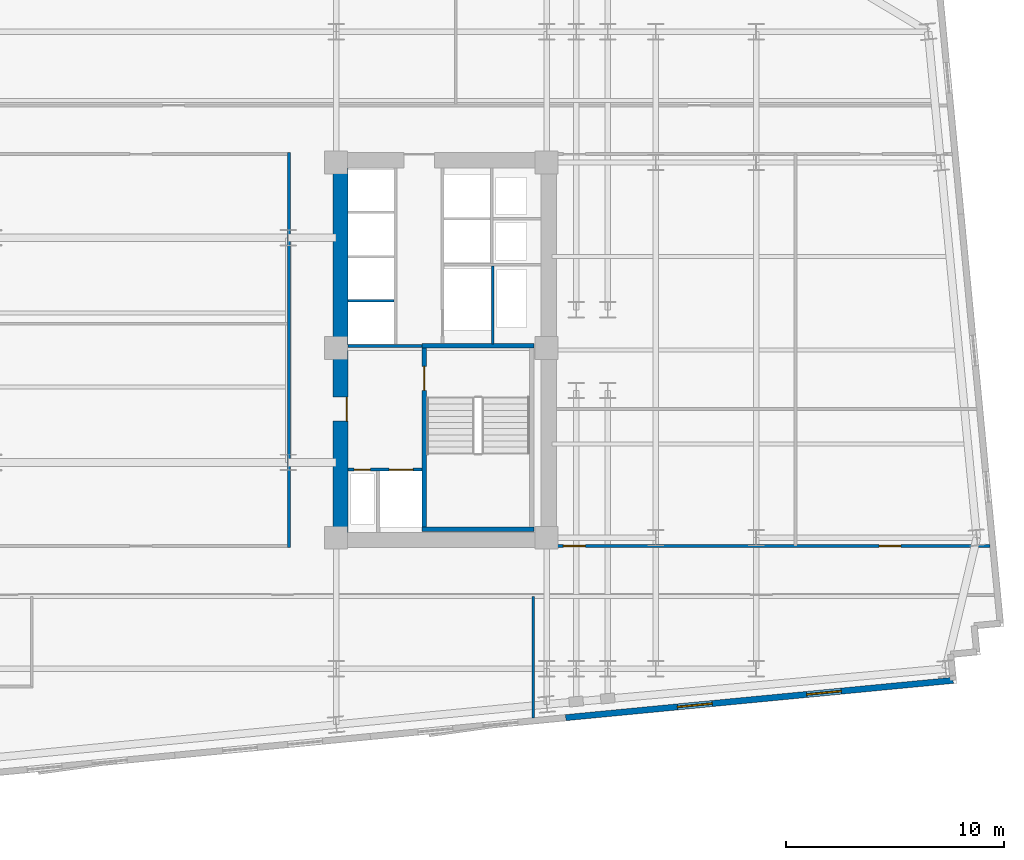
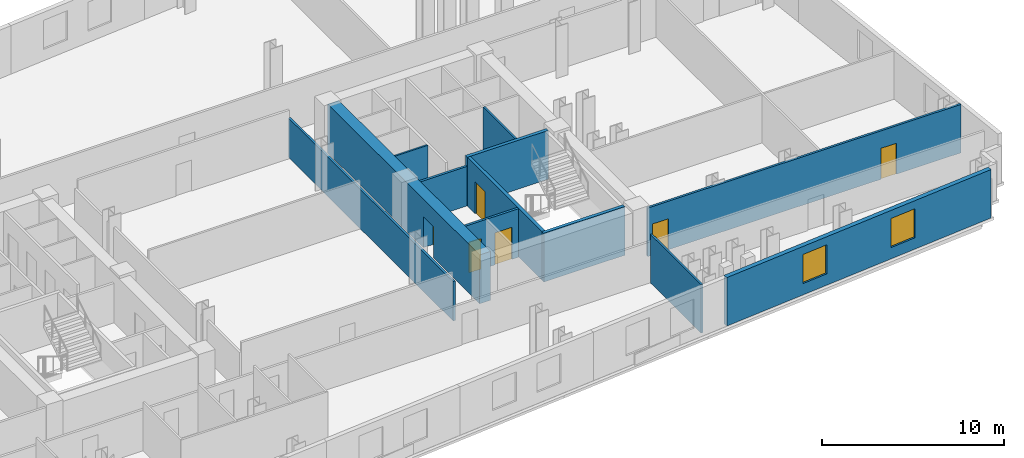
# One storey, part 6 of 10: 12 walls, 6 doors, 2 windows, 8 openings.
"""IFC4 building model written with IfcOpenShell, lengths in metres."""

import ifcopenshell
import ifcopenshell.guid

model = None  # the IFC model being written
_history = None  # IfcOwnerHistory: only IFC2X3 demands one
_inside = {}  # id of a spatial element -> (the spatial element, [elements in it])
_under = {}  # id of a project, library or spatial element -> (it, [spatial elements below it])
_declared = {}  # id of a project -> (the project, [libraries it declares])
_typed = {}  # id of a type object -> (the type object, [elements of that type])
_made_of = {}  # id of a material, layer set ... -> (it, [elements and type objects made of it])


def new_model(schema):
    """Start an empty IFC model of exactly this schema.

    Asked for "IFC4X3", IfcOpenShell would pick the latest addendum, in which some entities
    have other attributes; the version numbers below select the first issue.
    IFC2X3 requires an IfcOwnerHistory on every rooted entity: one is made here for all.
    """
    global model, _history
    if schema == "IFC4X3":
        model = ifcopenshell.file(schema_version=(4, 3, 0, 0))
    else:
        model = ifcopenshell.file(schema=schema)
    _inside.clear()
    _under.clear()
    _declared.clear()
    _typed.clear()
    _made_of.clear()
    _history = None
    if model.schema == "IFC2X3":
        org = make("IfcOrganization", Name="unknown")
        user = make(
            "IfcPersonAndOrganization",
            ThePerson=make("IfcPerson", FamilyName="unknown"),
            TheOrganization=org,
        )
        app = make(
            "IfcApplication",
            ApplicationDeveloper=org,
            Version="unknown",
            ApplicationFullName="unknown",
            ApplicationIdentifier="unknown",
        )
        _history = make(
            "IfcOwnerHistory",
            OwningUser=user,
            OwningApplication=app,
            ChangeAction="ADDED",
            CreationDate=0,
        )
    return model


def make(cls, **values):
    """One entity of the class cls with the attributes given. An attribute that is None is left unset."""
    return model.create_entity(
        cls, **{name: value for name, value in values.items() if value is not None}
    )


def rooted(cls, **values):
    """An entity with a GlobalId (a new one), such as an element, a storey or a relation."""
    return make(cls, GlobalId=ifcopenshell.guid.new(), OwnerHistory=_history, **values)


def si_unit(unit_type, name, prefix=None):
    """IfcSIUnit, for example si_unit("LENGTHUNIT", "METRE", prefix="MILLI")."""
    return make("IfcSIUnit", UnitType=unit_type, Prefix=prefix, Name=name)


def assignment(units):
    """IfcUnitAssignment: the units of a project."""
    return None if units is None else make("IfcUnitAssignment", Units=units)


def point(xyz):
    """IfcCartesianPoint."""
    return None if xyz is None else make("IfcCartesianPoint", Coordinates=xyz)


def direction(xyz):
    """IfcDirection."""
    return None if xyz is None else make("IfcDirection", DirectionRatios=xyz)


def frame(location, z_axis=None, x_axis=None):
    """IfcAxis2Placement3D, a coordinate frame: its origin and axes. An axis left out is left unset."""
    return make(
        "IfcAxis2Placement3D",
        Location=point(location),
        Axis=direction(z_axis),
        RefDirection=direction(x_axis),
    )


def frame_2d(location, x_axis=None):
    """IfcAxis2Placement2D, a coordinate frame in the plane: its origin and x axis."""
    return make(
        "IfcAxis2Placement2D", Location=point(location), RefDirection=direction(x_axis)
    )


def origin():
    """The frame at (0, 0, 0) with its axes left unset."""
    return frame((0.0, 0.0, 0.0))


def place(relative_to, where):
    """IfcLocalPlacement: puts the frame where relative to a parent placement (None: the world)."""
    return make(
        "IfcLocalPlacement", PlacementRelTo=relative_to, RelativePlacement=where
    )


def context(
    kind, dimensions, precision=None, world=None, true_north=None, identifier=None
):
    """IfcGeometricRepresentationContext, for example the 3D "Model" context."""
    return make(
        "IfcGeometricRepresentationContext",
        ContextIdentifier=identifier,
        ContextType=kind,
        CoordinateSpaceDimension=dimensions,
        Precision=precision,
        WorldCoordinateSystem=world,
        TrueNorth=true_north,
    )


def subcontext(parent, identifier, kind, view, scale=None):
    """IfcGeometricRepresentationSubContext, for example "Body" below "Model"."""
    return make(
        "IfcGeometricRepresentationSubContext",
        ContextIdentifier=identifier,
        ContextType=kind,
        ParentContext=parent,
        TargetScale=scale,
        TargetView=view,
    )


def project(units=None, contexts=None):
    """IfcProject with its units and contexts."""
    return rooted(
        "IfcProject",
        Name="project",
        RepresentationContexts=contexts,
        UnitsInContext=assignment(units),
    )


def spatial(cls, under=None, at=None, **own):
    """A site, building, storey or space (cls), placed at a placement, below another one or the project."""
    s = rooted(cls, ObjectPlacement=at, **own)
    if under is not None:
        _under.setdefault(under.id(), (under, []))[1].append(s)
    return s


def profile(cls, at=None, kind="AREA", **sizes):
    """A parametric profile (cls). Its sizes go by their IFC names, for example OverallWidth=200.0."""
    return make(cls, ProfileType=kind, Position=at, **sizes)


def rectangle(**sizes):
    """IfcRectangleProfileDef."""
    return profile("IfcRectangleProfileDef", **sizes)


def extrude(swept, where, along, depth):
    """IfcExtrudedAreaSolid: the profile swept, set in the frame where, extruded along a direction by depth."""
    return make(
        "IfcExtrudedAreaSolid",
        SweptArea=swept,
        Position=where,
        ExtrudedDirection=direction(along),
        Depth=depth,
    )


def shape(context_of_items, identifier, shape_type, items):
    """IfcShapeRepresentation: the items that make up one representation, for example the "Body"."""
    return make(
        "IfcShapeRepresentation",
        ContextOfItems=context_of_items,
        RepresentationIdentifier=identifier,
        RepresentationType=shape_type,
        Items=items,
    )


def material(Name=None, Category=None):
    """IfcMaterial."""
    return make("IfcMaterial", Name=Name, Category=Category)


def layer(
    of_material, thickness, ventilated=None, Name=None, Category=None, Priority=None
):
    """IfcMaterialLayer: one layer of a wall or slab, of a material (None: an air gap)."""
    return make(
        "IfcMaterialLayer",
        Material=of_material,
        LayerThickness=thickness,
        IsVentilated=ventilated,
        Name=Name,
        Category=Category,
        Priority=Priority,
    )


def layer_set(layers, Name=None):
    """IfcMaterialLayerSet."""
    return make("IfcMaterialLayerSet", MaterialLayers=layers, LayerSetName=Name)


def made_of(thing, what):
    """Note that an element or type object is made of a material, layer set ...; save() writes the relation."""
    if what is not None:
        _made_of.setdefault(what.id(), (what, []))[1].append(thing)
    return thing


def type_object(cls, material=None, **own):
    """A type object (cls), such as IfcWallType, which elements share."""
    return made_of(rooted(cls, **own), material)


def element(
    cls,
    number,
    at=None,
    inside=None,
    cuts=None,
    type_object=None,
    material=None,
    context=None,
    identifier="Body",
    shape_type=None,
    held_by="IfcProductDefinitionShape",
    body=None,
    shapes=None,
    **own,
):
    """One element of the class cls, such as IfcWall. Its Tag is "e" and its number.

    at: its placement. inside: the storey or other place that contains it. cuts: it is an
    opening in that element (IfcRelVoidsElement). A single representation is given by context,
    identifier, shape_type and body (its items); several are given by shapes. held_by: the class
    of the entity that holds the representations. save() writes the other relations.
    """
    e = rooted(cls, Tag="e%d" % number, ObjectPlacement=at, **own)
    if body is not None:
        shapes = [shape(context, identifier, shape_type, body)]
    if shapes is not None:
        e.Representation = make(held_by, Representations=shapes)
    if inside is not None:
        _inside.setdefault(inside.id(), (inside, []))[1].append(e)
    if cuts is not None:
        rooted(
            "IfcRelVoidsElement", RelatingBuildingElement=cuts, RelatedOpeningElement=e
        )
    if type_object is not None:
        _typed.setdefault(type_object.id(), (type_object, []))[1].append(e)
    return made_of(e, material)


def fill(opening, filler):
    """IfcRelFillsElement: the door or window that sits in an opening."""
    return rooted(
        "IfcRelFillsElement",
        RelatingOpeningElement=opening,
        RelatedBuildingElement=filler,
    )


def aggregate(whole, parts):
    """IfcRelAggregates: a whole, such as a stair, and the parts it consists of."""
    return rooted("IfcRelAggregates", RelatingObject=whole, RelatedObjects=parts)


def save(model, path):
    """Write the relations noted so far, then the file.

    IfcRelAggregates (storeys below a building ...), IfcRelContainedInSpatialStructure (elements
    in a storey), IfcRelDefinesByType, IfcRelAssociatesMaterial and IfcRelDeclares: one each for
    every whole, place, type object, material and project.
    """
    for whole, parts in _under.values():
        aggregate(whole, parts)
    for where, things in _inside.values():
        rooted(
            "IfcRelContainedInSpatialStructure",
            RelatedElements=things,
            RelatingStructure=where,
        )
    for kind, things in _typed.values():
        rooted("IfcRelDefinesByType", RelatedObjects=things, RelatingType=kind)
    for what, things in _made_of.values():
        rooted("IfcRelAssociatesMaterial", RelatedObjects=things, RelatingMaterial=what)
    for by, libraries in _declared.values():
        rooted("IfcRelDeclares", RelatingContext=by, RelatedDefinitions=libraries)
    model.write(path)


model = new_model("IFC4")

# Units and contexts
model_context = context("Model", 3, precision=1e-05, world=origin(), true_north=direction((0.0, 1.0)))
body_context = subcontext(model_context, "Body", "Model", "MODEL_VIEW")
ifc_project = project(units=[si_unit("LENGTHUNIT", "METRE"), si_unit("AREAUNIT", "SQUARE_METRE"), si_unit("VOLUMEUNIT", "CUBIC_METRE"), si_unit("PLANEANGLEUNIT", "RADIAN"), si_unit("MASSUNIT", "GRAM", prefix="KILO")], contexts=[model_context])

# Site, building, storey
site_placement = place(None, origin())
site = spatial("IfcSite", under=ifc_project, at=site_placement, CompositionType="ELEMENT")
building_placement = place(site_placement, origin())
building = spatial("IfcBuilding", under=site, at=building_placement, Name="Velakula Bourse", CompositionType="ELEMENT")
storey_placement = place(building_placement, frame((0.0, 0.0, 81.10009765625)))
storey = spatial("IfcBuildingStorey", under=building, at=storey_placement, Name="L21", CompositionType="ELEMENT", Elevation=81.10009765625)

# Wall, opening, door
ifc_material_1 = material(Name="Concrete M50 (fck 50 MPa)", Category="concrete")
ifc_layer_1 = layer(ifc_material_1, 0.2099609375, Name="Concrete M50 (fck 50 MPa)", Category="concrete")
ifc_layer_set_1 = layer_set([ifc_layer_1], Name="Concrete M50 (fck 50 MPa)")
wall_type_1 = type_object("IfcWallType", Name="WL-CORE-210", PredefinedType="SHEAR", material=ifc_layer_set_1)
wall_1_placement = place(storey_placement, frame((12.9951171875, -8.10009765625, 0.0), z_axis=(0.0, 0.0, 1.0), x_axis=(0.0, 1.0, 0.0)))
wall_1 = element("IfcWall", 1, at=wall_1_placement, inside=storey, type_object=wall_type_1, Name="L21 Core E Stairwell Shear Wall IN", PredefinedType="SHEAR", context=body_context, shape_type="SweptSolid", body=[
    extrude(rectangle(XDim=8.2001953125, YDim=0.2099609375, at=frame_2d((4.10009765625, 0.0))), origin(), (0.0, 0.0, 1.0), 3.27001953125),
])
opening_1_placement = place(wall_1_placement, frame((6.25, 0.0, 0.0)))
opening_1 = element("IfcOpeningElement", 2, at=opening_1_placement, cuts=wall_1, Name="Opening D-STE1", PredefinedType="OPENING", context=body_context, shape_type="SweptSolid", body=[
    extrude(rectangle(XDim=1.10009765625, YDim=2.14990234375, at=frame_2d((0.550048828125, 1.074951171875))), frame((0.0, 0.114990234375, 0.0), z_axis=(0.0, -1.0, 0.0), x_axis=(1.0, 0.0, 0.0)), (0.0, 0.0, 1.0), 0.22998046875),
])
ifc_material_2 = material(Name="Galvanised painted hollow steel fire door", Category="steel")
door_type_1 = type_object("IfcDoorType", Name="DR-FD120-1100x2150", OperationType="NOTDEFINED", PredefinedType="DOOR", material=ifc_material_2)
door_1_placement = place(opening_1_placement, origin())
door_1 = element("IfcDoor", 3, at=door_1_placement, inside=storey, type_object=door_type_1, Name="L21 Stair ST-E1 Fire Door", OperationType="SINGLE_SWING_RIGHT", OverallHeight=2.14990234375, OverallWidth=1.10009765625, PredefinedType="DOOR", context=body_context, shape_type="SweptSolid", body=[
    extrude(rectangle(XDim=1.10009765625, YDim=2.14990234375, at=frame_2d((0.550048828125, 1.074951171875))), frame((0.0, 0.02490234375, 0.0), z_axis=(0.0, -1.0, 0.0), x_axis=(1.0, 0.0, 0.0)), (0.0, 0.0, 1.0), 0.050048828125),
])
fill(opening_1, door_1)

# Walls
for number, where, z_axis, x_axis, name in (
    (4, (12.889892578125, -8.205078125, 0.0), (0.0, 0.0, 1.0), (1.0, 0.0, 0.0), "L21 Core E Stairwell Shear Wall S"),
    (5, (18.030029296875, 0.205078125, 0.0), (0.0, 0.0, 1.0), (-1.0, 0.0, 0.0), "L21 Core E Stairwell Shear Wall N"),
):
    element("IfcWall", number, at=place(storey_placement, frame(where, z_axis=z_axis, x_axis=x_axis)), inside=storey, type_object=wall_type_1, Name=name, PredefinedType="SHEAR", context=body_context, shape_type="SweptSolid", body=[
        extrude(rectangle(XDim=5.14013671875, YDim=0.2099609375, at=frame_2d((2.570068359375, 0.0))), origin(), (0.0, 0.0, 1.0), 3.27001953125),
    ])

# Wall, opening, door
ifc_material_3 = material(Name="Concrete M70 (fck 70 MPa)", Category="concrete")
ifc_layer_2 = layer(ifc_material_3, 0.699951171875, Name="Concrete M70 (fck 70 MPa)", Category="concrete")
ifc_layer_set_2 = layer_set([ifc_layer_2], Name="Concrete M70 (fck 70 MPa)")
wall_type_2 = type_object("IfcWallType", Name="WL-CORE-700", PredefinedType="SHEAR", material=ifc_layer_set_2)
wall_2_placement = place(storey_placement, frame((9.14990234375, -8.35009765625, 0.0), z_axis=(0.0, 0.0, 1.0), x_axis=(0.0, 1.0, 0.0)))
wall_2 = element("IfcWall", 6, at=wall_2_placement, inside=storey, type_object=wall_type_2, Name="L21 Core E Shear Wall W", PredefinedType="SHEAR", context=body_context, shape_type="SweptSolid", body=[
    extrude(rectangle(XDim=16.7001953125, YDim=0.699951171875, at=frame_2d((8.35009765625, 0.0))), origin(), (0.0, 0.0, 1.0), 3.27001953125),
])
opening_2_placement = place(wall_2_placement, frame((5.10009765625, 0.0, 0.0)))
opening_2 = element("IfcOpeningElement", 7, at=opening_2_placement, cuts=wall_2, Name="Opening D-FLE", PredefinedType="OPENING", context=body_context, shape_type="SweptSolid", body=[
    extrude(rectangle(XDim=1.10009765625, YDim=2.080078125, at=frame_2d((0.550048828125, 1.0400390625))), frame((0.0, 0.35986328125, 0.0), z_axis=(0.0, -1.0, 0.0), x_axis=(1.0, 0.0, 0.0)), (0.0, 0.0, 1.0), 0.719970703125),
])
door_type_2 = type_object("IfcDoorType", Name="DR-FD120-1100", OperationType="NOTDEFINED", PredefinedType="DOOR", material=ifc_material_2)
door_2_placement = place(opening_2_placement, origin())
door_2 = element("IfcDoor", 8, at=door_2_placement, inside=storey, type_object=door_type_2, Name="L21 Firefighting Lobby E Corridor Fire Door", OperationType="SINGLE_SWING_RIGHT", OverallHeight=2.080078125, OverallWidth=1.10009765625, PredefinedType="DOOR", context=body_context, shape_type="SweptSolid", body=[
    extrude(rectangle(XDim=1.10009765625, YDim=2.080078125, at=frame_2d((0.550048828125, 1.0400390625))), frame((0.0, -0.2548828125, 0.0), z_axis=(0.0, -1.0, 0.0), x_axis=(1.0, 0.0, 0.0)), (0.0, 0.0, 1.0), 0.050048828125),
])
fill(opening_2, door_2)

# Wall, openings, windows
ifc_material_4 = material(Name="Red kilned clay facing brick masonry", Category="masonry")
ifc_layer_3 = layer(ifc_material_4, 0.280029296875, Name="Red kilned clay facing brick masonry", Category="masonry")
ifc_layer_set_3 = layer_set([ifc_layer_3], Name="Red kilned clay facing brick masonry")
wall_type_3 = type_object("IfcWallType", Name="WL-EXT-BRK-280", PredefinedType="STANDARD", material=ifc_layer_set_3)
wall_3_placement = place(storey_placement, frame((37.2314453125, -15.138427734375, 0.0), z_axis=(0.0, 0.0, 1.0), x_axis=(-0.995395780835, -0.095850088663, 0.0)))
wall_3 = element("IfcWall", 9, at=wall_3_placement, inside=storey, type_object=wall_type_3, Name="L21 S Brick Spandrel Wall B5", PredefinedType="STANDARD", context=body_context, shape_type="SweptSolid", body=[
    extrude(rectangle(XDim=17.83984375, YDim=0.280029296875, at=frame_2d((8.919921875, 0.0))), origin(), (0.0, 0.0, 1.0), 3.25),
])
opening_3_placement = place(wall_3_placement, frame((5.146728515625, 0.0, 0.760009765625)))
opening_3 = element("IfcOpeningElement", 10, at=opening_3_placement, cuts=wall_3, Name="Opening W-02", PredefinedType="OPENING", context=body_context, shape_type="SweptSolid", body=[
    extrude(rectangle(XDim=1.60009765625, YDim=1.949951171875, at=frame_2d((0.800048828125, 0.97509765625))), frame((0.0, 0.14990234375, 0.0), z_axis=(0.0, -1.0, 0.0), x_axis=(1.0, 0.0, 0.0)), (0.0, 0.0, 1.0), 0.300048828125),
])
opening_4_placement = place(wall_3_placement, frame((11.09326171875, 0.0, 0.760009765625)))
opening_4 = element("IfcOpeningElement", 11, at=opening_4_placement, cuts=wall_3, Name="Opening W-02", PredefinedType="OPENING", context=body_context, shape_type="SweptSolid", body=[
    extrude(rectangle(XDim=1.60009765625, YDim=1.949951171875, at=frame_2d((0.800048828125, 0.97509765625))), frame((0.0, 0.14990234375, 0.0), z_axis=(0.0, -1.0, 0.0), x_axis=(1.0, 0.0, 0.0)), (0.0, 0.0, 1.0), 0.300048828125),
])
ifc_material_5 = material(Name="Double-glazed solar-control Low-E glass", Category="glass")
window_type = type_object("IfcWindowType", Name="WIN-TWR-1600x2100", PartitioningType="SINGLE_PANEL", PredefinedType="WINDOW", material=ifc_material_5)
window_1_placement = place(opening_3_placement, origin())
window_1 = element("IfcWindow", 12, at=window_1_placement, inside=storey, type_object=window_type, Name="L21 Deep-Set Recessed Window 1", OverallHeight=1.949951171875, OverallWidth=1.60009765625, PartitioningType="SINGLE_PANEL", PredefinedType="WINDOW", context=body_context, shape_type="SweptSolid", body=[
    extrude(rectangle(XDim=1.60009765625, YDim=1.949951171875, at=frame_2d((0.800048828125, 0.97509765625))), frame((0.0, 0.030029296875, 0.0), z_axis=(0.0, -1.0, 0.0), x_axis=(1.0, 0.0, 0.0)), (0.0, 0.0, 1.0), 0.06005859375),
])
fill(opening_3, window_1)
window_2_placement = place(opening_4_placement, origin())
window_2 = element("IfcWindow", 13, at=window_2_placement, inside=storey, type_object=window_type, Name="L21 Deep-Set Recessed Window 2", OverallHeight=1.949951171875, OverallWidth=1.60009765625, PartitioningType="SINGLE_PANEL", PredefinedType="WINDOW", context=body_context, shape_type="SweptSolid", body=[
    extrude(rectangle(XDim=1.60009765625, YDim=1.949951171875, at=frame_2d((0.800048828125, 0.97509765625))), frame((0.0, 0.030029296875, 0.0), z_axis=(0.0, -1.0, 0.0), x_axis=(1.0, 0.0, 0.0)), (0.0, 0.0, 1.0), 0.06005859375),
])
fill(opening_4, window_2)

# Walls
ifc_material_6 = material(Name="Fire-rated double-layer gypsum drywall partition", Category="gypsum")
ifc_layer_4 = layer(ifc_material_6, 0.1201171875, Name="Fire-rated double-layer gypsum drywall partition", Category="gypsum")
ifc_layer_set_4 = layer_set([ifc_layer_4], Name="Fire-rated double-layer gypsum drywall partition")
wall_type_4 = type_object("IfcWallType", Name="WL-PART-120", PredefinedType="STANDARD", material=ifc_layer_set_4)
wall_4_placement = place(storey_placement, frame((9.5, 2.2548828125, 0.0), z_axis=(0.0, 0.0, 1.0), x_axis=(1.0, 0.0, 0.0)))
element("IfcWall", 14, at=wall_4_placement, inside=storey, type_object=wall_type_4, Name="L21 Interior Partition WL-CRE-L21-BDIV-0", PredefinedType="STANDARD", context=body_context, shape_type="SweptSolid", body=[
    extrude(rectangle(XDim=2.10009765625, YDim=0.110107421875, at=frame_2d((1.050048828125, 0.0))), origin(), (0.0, 0.0, 1.0), 3.25),
])
wall_5_placement = place(storey_placement, frame((16.125, 0.27001953125, 0.0), z_axis=(0.0, 0.0, 1.0), x_axis=(0.0, 1.0, 0.0)))
element("IfcWall", 15, at=wall_5_placement, inside=storey, type_object=wall_type_4, Name="L21 Interior Partition WL-CRE-L21-SVL-E", PredefinedType="STANDARD", context=body_context, shape_type="SweptSolid", body=[
    extrude(rectangle(XDim=3.590087890625, YDim=0.1201171875, at=frame_2d((1.794921875, 0.0))), origin(), (0.0, 0.0, 1.0), 3.25),
])
wall_6_placement = place(storey_placement, frame((17.98095703125, -16.87158203125, 0.0), z_axis=(0.0, 0.0, 1.0), x_axis=(0.0, 1.0, 0.0)))
element("IfcWall", 16, at=wall_6_placement, inside=storey, type_object=wall_type_4, Name="L21 Interior Partition WL-INT-L21-SR-D6", PredefinedType="STANDARD", context=body_context, shape_type="SweptSolid", body=[
    extrude(rectangle(XDim=5.58154296875, YDim=0.1201171875, at=frame_2d((2.790771484375, 0.0))), origin(), (0.0, 0.0, 1.0), 3.25),
])

# Wall, openings, doors
ifc_layer_5 = layer(ifc_material_6, 0.139892578125, Name="Fire-rated double-layer gypsum drywall partition", Category="gypsum")
ifc_layer_set_5 = layer_set([ifc_layer_5], Name="Fire-rated double-layer gypsum drywall partition")
wall_type_5 = type_object("IfcWallType", Name="WL-PART-140", PredefinedType="STANDARD", material=ifc_layer_set_5)
wall_7_placement = place(storey_placement, frame((19.050048828125, -8.97998046875, 0.0), z_axis=(0.0, 0.0, 1.0), x_axis=(1.0, 0.0, 0.0)))
wall_7 = element("IfcWall", 17, at=wall_7_placement, inside=storey, type_object=wall_type_5, Name="L21 Interior Partition WL-INT-L21-E-SC", PredefinedType="STANDARD", context=body_context, shape_type="SweptSolid", body=[
    extrude(rectangle(XDim=19.87890625, YDim=0.139892578125, at=frame_2d((9.939453125, 0.0))), origin(), (0.0, 0.0, 1.0), 3.25),
])
opening_5_placement = place(wall_7_placement, frame((0.320068359375, 0.0, 0.0)))
opening_5 = element("IfcOpeningElement", 18, at=opening_5_placement, cuts=wall_7, Name="Opening D-OF1", PredefinedType="OPENING", context=body_context, shape_type="SweptSolid", body=[
    extrude(rectangle(XDim=1.0, YDim=2.080078125, at=frame_2d((0.5, 1.0400390625))), frame((0.0, 0.079833984375, 0.0), z_axis=(0.0, -1.0, 0.0), x_axis=(1.0, 0.0, 0.0)), (0.0, 0.0, 1.0), 0.159912109375),
])
opening_6_placement = place(wall_7_placement, frame((14.7890625, 0.0, 0.0)))
opening_6 = element("IfcOpeningElement", 19, at=opening_6_placement, cuts=wall_7, Name="Opening D-OF1", PredefinedType="OPENING", context=body_context, shape_type="SweptSolid", body=[
    extrude(rectangle(XDim=1.0, YDim=2.080078125, at=frame_2d((0.5, 1.0400390625))), frame((0.0, 0.079833984375, 0.0), z_axis=(0.0, -1.0, 0.0), x_axis=(1.0, 0.0, 0.0)), (0.0, 0.0, 1.0), 0.159912109375),
])
ifc_material_7 = material(Name="Fire-rated hardwood flush architectural door", Category="wood")
door_type_3 = type_object("IfcDoorType", Name="DR-OFF-1000", OperationType="NOTDEFINED", PredefinedType="DOOR", material=ifc_material_7)
door_3_placement = place(opening_5_placement, origin())
door_3 = element("IfcDoor", 20, at=door_3_placement, inside=storey, type_object=door_type_3, Name="L21 Broadcast Control Office Door", OperationType="SINGLE_SWING_LEFT", OverallHeight=2.080078125, OverallWidth=1.0, PredefinedType="DOOR", context=body_context, shape_type="SweptSolid", body=[
    extrude(rectangle(XDim=1.0, YDim=2.080078125, at=frame_2d((0.5, 1.0400390625))), frame((0.0, 0.02490234375, 0.0), z_axis=(0.0, -1.0, 0.0), x_axis=(1.0, 0.0, 0.0)), (0.0, 0.0, 1.0), 0.050048828125),
])
fill(opening_5, door_3)
door_4_placement = place(opening_6_placement, origin())
door_4 = element("IfcDoor", 21, at=door_4_placement, inside=storey, type_object=door_type_3, Name="L21 Yield Curve Seminar Room Door", OperationType="SINGLE_SWING_RIGHT", OverallHeight=2.080078125, OverallWidth=1.0, PredefinedType="DOOR", context=body_context, shape_type="SweptSolid", body=[
    extrude(rectangle(XDim=1.0, YDim=2.080078125, at=frame_2d((0.5, 1.0400390625))), frame((0.0, 0.02490234375, 0.0), z_axis=(0.0, -1.0, 0.0), x_axis=(1.0, 0.0, 0.0)), (0.0, 0.0, 1.0), 0.050048828125),
])
fill(opening_6, door_4)

# Wall
wall_8_placement = place(storey_placement, frame((6.780029296875, -9.050048828125, 0.0), z_axis=(0.0, 0.0, 1.0), x_axis=(0.0, 1.0, 0.0)))
element("IfcWall", 22, at=wall_8_placement, inside=storey, type_object=wall_type_5, Name="L21 Interior Partition WL-INT-L21-MID-E", PredefinedType="STANDARD", context=body_context, shape_type="SweptSolid", body=[
    extrude(rectangle(XDim=18.10009765625, YDim=0.139892578125, at=frame_2d((9.050048828125, 0.0))), origin(), (0.0, 0.0, 1.0), 2.64501953125),
])

# Wall, openings, doors
ifc_material_8 = material(Name="Autoclaved aerated concrete blockwork masonry", Category="masonry")
ifc_layer_6 = layer(ifc_material_8, 0.14990234375, Name="Autoclaved aerated concrete blockwork masonry", Category="masonry")
ifc_layer_set_6 = layer_set([ifc_layer_6], Name="Autoclaved aerated concrete blockwork masonry")
wall_type_6 = type_object("IfcWallType", Name="WL-SHAFT-150", PredefinedType="STANDARD", material=ifc_layer_set_6)
wall_9_placement = place(storey_placement, frame((9.5, -5.47509765625, 0.0), z_axis=(0.0, 0.0, 1.0), x_axis=(1.0, 0.0, 0.0)))
wall_9 = element("IfcWall", 23, at=wall_9_placement, inside=storey, type_object=wall_type_6, Name="L21 Interior Partition WL-CRE-L21-FFL-N", PredefinedType="STANDARD", context=body_context, shape_type="SweptSolid", body=[
    extrude(rectangle(XDim=3.39501953125, YDim=0.14990234375, at=frame_2d((1.697509765625, 0.0))), origin(), (0.0, 0.0, 1.0), 3.25),
])
opening_7_placement = place(wall_9_placement, frame((1.875, 0.0, 0.0)))
opening_7 = element("IfcOpeningElement", 24, at=opening_7_placement, cuts=wall_9, Name="Opening LD-FFL-2", PredefinedType="OPENING", context=body_context, shape_type="SweptSolid", body=[
    extrude(rectangle(XDim=1.10009765625, YDim=2.14990234375, at=frame_2d((0.550048828125, 1.074951171875))), frame((0.0, 0.0849609375, 0.0), z_axis=(0.0, -1.0, 0.0), x_axis=(1.0, 0.0, 0.0)), (0.0, 0.0, 1.0), 0.169921875),
])
opening_8_placement = place(wall_9_placement, frame((0.27490234375, 0.0, 0.0)))
opening_8 = element("IfcOpeningElement", 25, at=opening_8_placement, cuts=wall_9, Name="Opening D-RS1", PredefinedType="OPENING", context=body_context, shape_type="SweptSolid", body=[
    extrude(rectangle(XDim=0.75, YDim=2.050048828125, at=frame_2d((0.375, 1.02490234375))), frame((0.0, 0.0849609375, 0.0), z_axis=(0.0, -1.0, 0.0), x_axis=(1.0, 0.0, 0.0)), (0.0, 0.0, 1.0), 0.169921875),
])
door_type_4 = type_object("IfcDoorType", Name="DR-RISER-800", OperationType="NOTDEFINED", PredefinedType="DOOR", material=ifc_material_2)
door_5_placement = place(opening_8_placement, origin())
door_5 = element("IfcDoor", 26, at=door_5_placement, inside=storey, type_object=door_type_4, Name="L21 Fire Riser Access Door", OperationType="SINGLE_SWING_LEFT", OverallHeight=2.050048828125, OverallWidth=0.75, PredefinedType="DOOR", context=body_context, shape_type="SweptSolid", body=[
    extrude(rectangle(XDim=0.75, YDim=2.050048828125, at=frame_2d((0.375, 1.02490234375))), frame((0.0, 0.02490234375, 0.0), z_axis=(0.0, -1.0, 0.0), x_axis=(1.0, 0.0, 0.0)), (0.0, 0.0, 1.0), 0.050048828125),
])
fill(opening_8, door_5)
ifc_material_9 = material(Name="Brushed grade 316 stainless steel", Category="steel")
door_type_5 = type_object("IfcDoorType", Name="DR-SLIDE-FFL-1100", OperationType="DOUBLE_DOOR_SLIDING", PredefinedType="DOOR", material=ifc_material_9)
door_6_placement = place(opening_7_placement, origin())
door_6 = element("IfcDoor", 27, at=door_6_placement, inside=storey, type_object=door_type_5, Name="L21 Firefighting Lift FFL-2 Sliding Landing Door", OperationType="DOUBLE_DOOR_SLIDING", OverallHeight=2.14990234375, OverallWidth=1.10009765625, PredefinedType="DOOR", context=body_context, shape_type="SweptSolid", body=[
    extrude(rectangle(XDim=1.10009765625, YDim=2.14990234375, at=frame_2d((0.550048828125, 1.074951171875))), frame((0.0, 0.02490234375, 0.0), z_axis=(0.0, -1.0, 0.0), x_axis=(1.0, 0.0, 0.0)), (0.0, 0.0, 1.0), 0.050048828125),
])
fill(opening_7, door_6)

# Wall
wall_10_placement = place(storey_placement, frame((9.5, 0.18994140625, 0.0), z_axis=(0.0, 0.0, 1.0), x_axis=(1.0, 0.0, 0.0)))
element("IfcWall", 28, at=wall_10_placement, inside=storey, type_object=wall_type_6, Name="L21 Interior Partition WL-CRE-L21-FF-TOP", PredefinedType="STANDARD", context=body_context, shape_type="SweptSolid", body=[
    extrude(rectangle(XDim=3.389892578125, YDim=0.14990234375, at=frame_2d((1.69482421875, 0.0))), origin(), (0.0, 0.0, 1.0), 2.64501953125),
])

save(model, "model.ifc")
